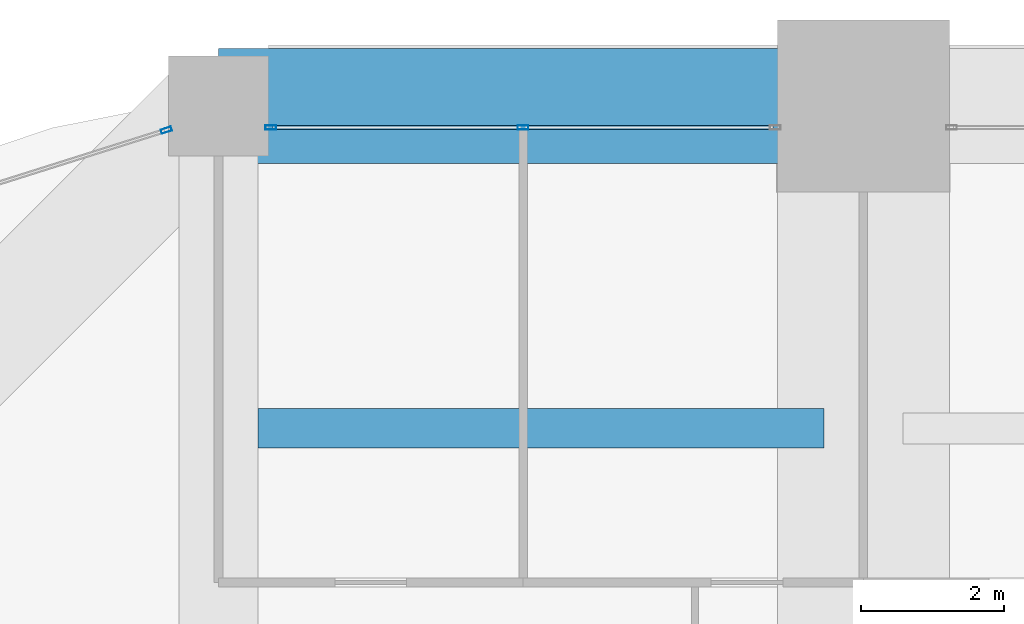
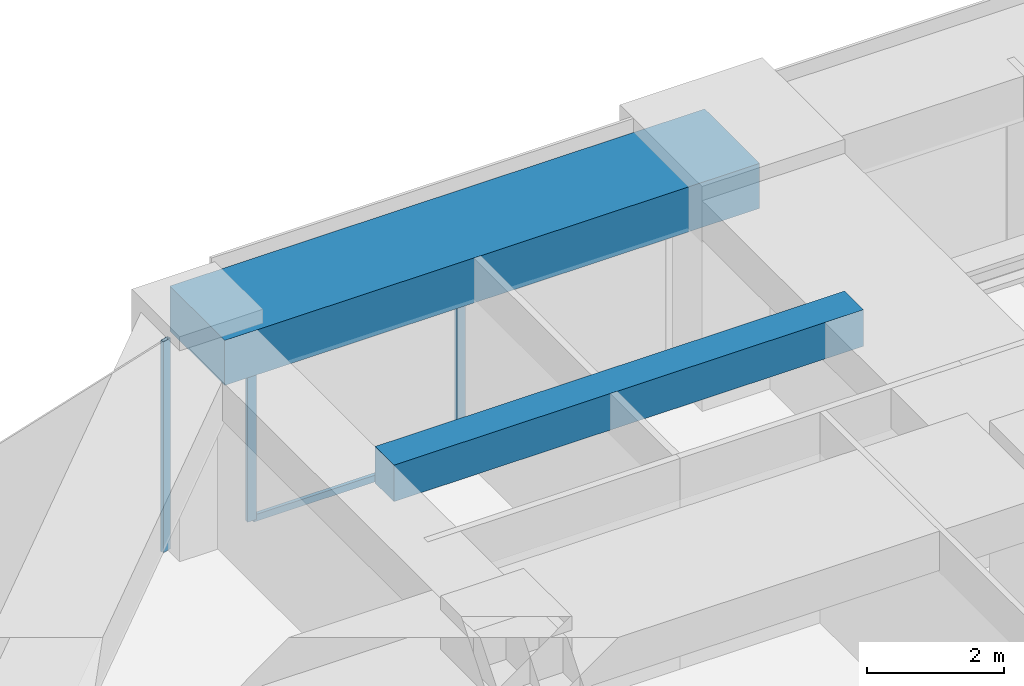
# One storey, part 22 of 35: 4 members, 2 beams, 2 elements without a shape of their own.
"""IFC4 building model written with IfcOpenShell, lengths in metres."""

import ifcopenshell
import ifcopenshell.guid

model = None  # the IFC model being written
_history = None  # IfcOwnerHistory: only IFC2X3 demands one
_inside = {}  # id of a spatial element -> (the spatial element, [elements in it])
_under = {}  # id of a project, library or spatial element -> (it, [spatial elements below it])
_declared = {}  # id of a project -> (the project, [libraries it declares])
_typed = {}  # id of a type object -> (the type object, [elements of that type])
_made_of = {}  # id of a material, layer set ... -> (it, [elements and type objects made of it])


def new_model(schema):
    """Start an empty IFC model of exactly this schema.

    Asked for "IFC4X3", IfcOpenShell would pick the latest addendum, in which some entities
    have other attributes; the version numbers below select the first issue.
    IFC2X3 requires an IfcOwnerHistory on every rooted entity: one is made here for all.
    """
    global model, _history
    if schema == "IFC4X3":
        model = ifcopenshell.file(schema_version=(4, 3, 0, 0))
    else:
        model = ifcopenshell.file(schema=schema)
    _inside.clear()
    _under.clear()
    _declared.clear()
    _typed.clear()
    _made_of.clear()
    _history = None
    if model.schema == "IFC2X3":
        org = make("IfcOrganization", Name="unknown")
        user = make(
            "IfcPersonAndOrganization",
            ThePerson=make("IfcPerson", FamilyName="unknown"),
            TheOrganization=org,
        )
        app = make(
            "IfcApplication",
            ApplicationDeveloper=org,
            Version="unknown",
            ApplicationFullName="unknown",
            ApplicationIdentifier="unknown",
        )
        _history = make(
            "IfcOwnerHistory",
            OwningUser=user,
            OwningApplication=app,
            ChangeAction="ADDED",
            CreationDate=0,
        )
    return model


def make(cls, **values):
    """One entity of the class cls with the attributes given. An attribute that is None is left unset."""
    return model.create_entity(
        cls, **{name: value for name, value in values.items() if value is not None}
    )


def rooted(cls, **values):
    """An entity with a GlobalId (a new one), such as an element, a storey or a relation."""
    return make(cls, GlobalId=ifcopenshell.guid.new(), OwnerHistory=_history, **values)


def si_unit(unit_type, name, prefix=None):
    """IfcSIUnit, for example si_unit("LENGTHUNIT", "METRE", prefix="MILLI")."""
    return make("IfcSIUnit", UnitType=unit_type, Prefix=prefix, Name=name)


def assignment(units):
    """IfcUnitAssignment: the units of a project."""
    return None if units is None else make("IfcUnitAssignment", Units=units)


def point(xyz):
    """IfcCartesianPoint."""
    return None if xyz is None else make("IfcCartesianPoint", Coordinates=xyz)


def direction(xyz):
    """IfcDirection."""
    return None if xyz is None else make("IfcDirection", DirectionRatios=xyz)


def frame(location, z_axis=None, x_axis=None):
    """IfcAxis2Placement3D, a coordinate frame: its origin and axes. An axis left out is left unset."""
    return make(
        "IfcAxis2Placement3D",
        Location=point(location),
        Axis=direction(z_axis),
        RefDirection=direction(x_axis),
    )


def frame_2d(location, x_axis=None):
    """IfcAxis2Placement2D, a coordinate frame in the plane: its origin and x axis."""
    return make(
        "IfcAxis2Placement2D", Location=point(location), RefDirection=direction(x_axis)
    )


def origin():
    """The frame at (0, 0, 0) with its axes left unset."""
    return frame((0.0, 0.0, 0.0))


def origin_2d():
    """The frame at (0, 0) in the plane with its x axis left unset."""
    return frame_2d((0.0, 0.0))


def place(relative_to, where):
    """IfcLocalPlacement: puts the frame where relative to a parent placement (None: the world)."""
    return make(
        "IfcLocalPlacement", PlacementRelTo=relative_to, RelativePlacement=where
    )


def context(
    kind, dimensions, precision=None, world=None, true_north=None, identifier=None
):
    """IfcGeometricRepresentationContext, for example the 3D "Model" context."""
    return make(
        "IfcGeometricRepresentationContext",
        ContextIdentifier=identifier,
        ContextType=kind,
        CoordinateSpaceDimension=dimensions,
        Precision=precision,
        WorldCoordinateSystem=world,
        TrueNorth=true_north,
    )


def subcontext(parent, identifier, kind, view, scale=None):
    """IfcGeometricRepresentationSubContext, for example "Body" below "Model"."""
    return make(
        "IfcGeometricRepresentationSubContext",
        ContextIdentifier=identifier,
        ContextType=kind,
        ParentContext=parent,
        TargetScale=scale,
        TargetView=view,
    )


def project(units=None, contexts=None):
    """IfcProject with its units and contexts."""
    return rooted(
        "IfcProject",
        Name="project",
        RepresentationContexts=contexts,
        UnitsInContext=assignment(units),
    )


def spatial(cls, under=None, at=None, **own):
    """A site, building, storey or space (cls), placed at a placement, below another one or the project."""
    s = rooted(cls, ObjectPlacement=at, **own)
    if under is not None:
        _under.setdefault(under.id(), (under, []))[1].append(s)
    return s


def profile(cls, at=None, kind="AREA", **sizes):
    """A parametric profile (cls). Its sizes go by their IFC names, for example OverallWidth=200.0."""
    return make(cls, ProfileType=kind, Position=at, **sizes)


def rectangle(**sizes):
    """IfcRectangleProfileDef."""
    return profile("IfcRectangleProfileDef", **sizes)


def hollow_rectangle(**sizes):
    """IfcRectangleHollowProfileDef."""
    return profile("IfcRectangleHollowProfileDef", **sizes)


def extrude(swept, where, along, depth):
    """IfcExtrudedAreaSolid: the profile swept, set in the frame where, extruded along a direction by depth."""
    return make(
        "IfcExtrudedAreaSolid",
        SweptArea=swept,
        Position=where,
        ExtrudedDirection=direction(along),
        Depth=depth,
    )


def shape(context_of_items, identifier, shape_type, items):
    """IfcShapeRepresentation: the items that make up one representation, for example the "Body"."""
    return make(
        "IfcShapeRepresentation",
        ContextOfItems=context_of_items,
        RepresentationIdentifier=identifier,
        RepresentationType=shape_type,
        Items=items,
    )


def material(Name=None, Category=None):
    """IfcMaterial."""
    return make("IfcMaterial", Name=Name, Category=Category)


def material_profile(
    of_material, cross_section, Name=None, Category=None, Priority=None
):
    """IfcMaterialProfile: a cross section and its material."""
    return make(
        "IfcMaterialProfile",
        Name=Name,
        Material=of_material,
        Profile=cross_section,
        Priority=Priority,
        Category=Category,
    )


def profile_set(profiles, Name=None, composite=None):
    """IfcMaterialProfileSet."""
    return make(
        "IfcMaterialProfileSet",
        Name=Name,
        MaterialProfiles=profiles,
        CompositeProfile=composite,
    )


def made_of(thing, what):
    """Note that an element or type object is made of a material, layer set ...; save() writes the relation."""
    if what is not None:
        _made_of.setdefault(what.id(), (what, []))[1].append(thing)
    return thing


def type_object(cls, material=None, **own):
    """A type object (cls), such as IfcWallType, which elements share."""
    return made_of(rooted(cls, **own), material)


def element(
    cls,
    number,
    at=None,
    inside=None,
    cuts=None,
    type_object=None,
    material=None,
    context=None,
    identifier="Body",
    shape_type=None,
    held_by="IfcProductDefinitionShape",
    body=None,
    shapes=None,
    **own,
):
    """One element of the class cls, such as IfcWall. Its Tag is "e" and its number.

    at: its placement. inside: the storey or other place that contains it. cuts: it is an
    opening in that element (IfcRelVoidsElement). A single representation is given by context,
    identifier, shape_type and body (its items); several are given by shapes. held_by: the class
    of the entity that holds the representations. save() writes the other relations.
    """
    e = rooted(cls, Tag="e%d" % number, ObjectPlacement=at, **own)
    if body is not None:
        shapes = [shape(context, identifier, shape_type, body)]
    if shapes is not None:
        e.Representation = make(held_by, Representations=shapes)
    if inside is not None:
        _inside.setdefault(inside.id(), (inside, []))[1].append(e)
    if cuts is not None:
        rooted(
            "IfcRelVoidsElement", RelatingBuildingElement=cuts, RelatedOpeningElement=e
        )
    if type_object is not None:
        _typed.setdefault(type_object.id(), (type_object, []))[1].append(e)
    return made_of(e, material)


def aggregate(whole, parts):
    """IfcRelAggregates: a whole, such as a stair, and the parts it consists of."""
    return rooted("IfcRelAggregates", RelatingObject=whole, RelatedObjects=parts)


def save(model, path):
    """Write the relations noted so far, then the file.

    IfcRelAggregates (storeys below a building ...), IfcRelContainedInSpatialStructure (elements
    in a storey), IfcRelDefinesByType, IfcRelAssociatesMaterial and IfcRelDeclares: one each for
    every whole, place, type object, material and project.
    """
    for whole, parts in _under.values():
        aggregate(whole, parts)
    for where, things in _inside.values():
        rooted(
            "IfcRelContainedInSpatialStructure",
            RelatedElements=things,
            RelatingStructure=where,
        )
    for kind, things in _typed.values():
        rooted("IfcRelDefinesByType", RelatedObjects=things, RelatingType=kind)
    for what, things in _made_of.values():
        rooted("IfcRelAssociatesMaterial", RelatedObjects=things, RelatingMaterial=what)
    for by, libraries in _declared.values():
        rooted("IfcRelDeclares", RelatingContext=by, RelatedDefinitions=libraries)
    model.write(path)


model = new_model("IFC4")

# Units and contexts
model_context = context("Model", 3, precision=1e-05, world=origin(), true_north=direction((0.0, 1.0)))
body_context = subcontext(model_context, "Body", "Model", "MODEL_VIEW")
ifc_project = project(units=[si_unit("LENGTHUNIT", "METRE"), si_unit("AREAUNIT", "SQUARE_METRE"), si_unit("VOLUMEUNIT", "CUBIC_METRE"), si_unit("PLANEANGLEUNIT", "RADIAN"), si_unit("MASSUNIT", "GRAM", prefix="KILO")], contexts=[model_context])

# Site, building, storey
site_placement = place(None, origin())
site = spatial("IfcSite", under=ifc_project, at=site_placement, CompositionType="ELEMENT")
building_placement = place(site_placement, origin())
building = spatial("IfcBuilding", under=site, at=building_placement, Name="Zorevar Civic Tower", CompositionType="ELEMENT")
storey_placement = place(building_placement, frame((0.0, 0.0, 218.199951171875)))
storey = spatial("IfcBuildingStorey", under=building, at=storey_placement, Name="L53", CompositionType="ELEMENT", Elevation=218.199951171875)

# Beam
ifc_material_1 = material(Name="Concrete C50/60", Category="concrete")
ifc_material_profile_1 = material_profile(ifc_material_1, rectangle(XDim=0.550048828125, YDim=0.64990234375, at=origin_2d()), Name="RC 550x650")
ifc_profile_set_1 = profile_set([ifc_material_profile_1], Name="Concrete C50/60")
beam_type_1 = type_object("IfcBeamType", Name="Beam RC 550x650", PredefinedType="BEAM", material=ifc_profile_set_1)
beam_1_placement = place(storey_placement, frame((9.550048828125, 40.5, 3.425048828125), z_axis=(1.0, 0.0, 0.0), x_axis=(0.0, 1.0, 0.0)))
element("IfcBeam", 1, at=beam_1_placement, inside=storey, type_object=beam_type_1, Name="Secondary beam L54", PredefinedType="BEAM", context=body_context, shape_type="SweptSolid", body=[
    extrude(rectangle(XDim=0.550048828125, YDim=0.64990234375, at=origin_2d()), origin(), (0.0, 0.0, 1.0), 7.89990234375),
])

# Curtain wall, members
ifc_material_2 = material(Name="Dark grey solar-control glass in black aluminium frame", Category="aluminium")
curtain_wall_type = type_object("IfcCurtainWallType", Name="Curtain wall CW4 high zone", PredefinedType="NOTDEFINED", material=ifc_material_2)
curtain_wall_1_placement = place(storey_placement, origin())
curtain_wall_1 = element("IfcCurtainWall", 2, at=curtain_wall_1_placement, inside=storey, type_object=curtain_wall_type, Name="CW4 L53", PredefinedType="NOTDEFINED")
ifc_material_3 = material(Name="Aluminium, black anodised", Category="aluminium")
ifc_material_profile_2 = material_profile(ifc_material_3, hollow_rectangle(XDim=0.06005859375, YDim=0.14990234375, WallThickness=0.00390625, at=origin_2d()), Name="AL 150x60x4")
ifc_profile_set_2 = profile_set([ifc_material_profile_2], Name="Aluminium, black anodised")
member_type_1 = type_object("IfcMemberType", Name="CW4 mullion AL 150x60x4", PredefinedType="MULLION", material=ifc_profile_set_2)
member_1_placement = place(storey_placement, frame((9.72998046875, 44.699951171875, 0.0), z_axis=(0.0, 0.0, 1.0), x_axis=(0.0, 1.0, 0.0)))
member_1 = element("IfcMember", 3, at=member_1_placement, type_object=member_type_1, Name="CW4 mullion 1", PredefinedType="MULLION", context=body_context, shape_type="SweptSolid", body=[
    extrude(hollow_rectangle(XDim=0.06005859375, YDim=0.14990234375, WallThickness=0.00390625, at=origin_2d()), origin(), (0.0, 0.0, 1.0), 2.949951171875),
])
member_2_placement = place(storey_placement, frame((13.25, 44.699951171875, 0.06005859375), z_axis=(0.0, 0.0, 1.0), x_axis=(0.0, 1.0, 0.0)))
member_2 = element("IfcMember", 4, at=member_2_placement, type_object=member_type_1, Name="CW4 mullion 2", PredefinedType="MULLION", context=body_context, shape_type="SweptSolid", body=[
    extrude(hollow_rectangle(XDim=0.06005859375, YDim=0.14990234375, WallThickness=0.00390625, at=origin_2d()), origin(), (0.0, 0.0, 1.0), 2.889892578125),
])

# Curtain wall, member
curtain_wall_2_placement = place(storey_placement, origin())
curtain_wall_2 = element("IfcCurtainWall", 5, at=curtain_wall_2_placement, inside=storey, type_object=curtain_wall_type, Name="CW4 L53", PredefinedType="NOTDEFINED")
member_3_placement = place(storey_placement, frame((8.271484375, 44.66259765625, 0.0), z_axis=(0.0, 0.0, 1.0), x_axis=(0.301108296077, -0.953589950678, 0.0)))
member_3 = element("IfcMember", 6, at=member_3_placement, type_object=member_type_1, Name="CW4 mullion 1", PredefinedType="MULLION", context=body_context, shape_type="SweptSolid", body=[
    extrude(hollow_rectangle(XDim=0.06005859375, YDim=0.14990234375, WallThickness=0.00390625, at=origin_2d()), origin(), (0.0, 0.0, 1.0), 3.75),
])
aggregate(curtain_wall_2, [member_3])

# Member
ifc_material_4 = material(Name="Aluminium, black anodised", Category="aluminium")
ifc_material_profile_3 = material_profile(ifc_material_4, hollow_rectangle(XDim=0.06005859375, YDim=0.1201171875, WallThickness=0.0029296875, at=origin_2d()), Name="AL 120x60x3")
ifc_profile_set_3 = profile_set([ifc_material_profile_3], Name="Aluminium, black anodised")
member_type_2 = type_object("IfcMemberType", Name="CW4 transom AL 120x60x3", PredefinedType="USERDEFINED", material=ifc_profile_set_3)
member_4_placement = place(storey_placement, frame((9.760009765625, 44.699951171875, 0.030029296875), z_axis=(1.0, 0.0, 0.0), x_axis=(0.0, 1.0, 0.0)))
member_4 = element("IfcMember", 7, at=member_4_placement, type_object=member_type_2, Name="CW4 sill transom", ObjectType="TRANSOM", PredefinedType="USERDEFINED", context=body_context, shape_type="SweptSolid", body=[
    extrude(hollow_rectangle(XDim=0.06005859375, YDim=0.1201171875, WallThickness=0.0029296875, at=origin_2d()), origin(), (0.0, 0.0, 1.0), 6.97998046875),
])

aggregate(curtain_wall_1, [member_1, member_2, member_4])

# Beam
ifc_material_5 = material(Name="Concrete C50/60", Category="concrete")
ifc_material_profile_4 = material_profile(ifc_material_5, rectangle(XDim=1.60009765625, YDim=0.800048828125, at=origin_2d()), Name="RC 1600x800")
ifc_profile_set_4 = profile_set([ifc_material_profile_4], Name="Concrete C50/60")
beam_type_2 = type_object("IfcBeamType", Name="Edge beam RC 1600x800", PredefinedType="SPANDREL", material=ifc_profile_set_4)
beam_2_placement = place(storey_placement, frame((9.0, 45.0, 3.35009765625), z_axis=(1.0, 0.0, 0.0), x_axis=(0.0, 1.0, 0.0)))
element("IfcBeam", 8, at=beam_2_placement, inside=storey, type_object=beam_type_2, Name="Edge beam L54", PredefinedType="SPANDREL", context=body_context, shape_type="SweptSolid", body=[
    extrude(rectangle(XDim=1.60009765625, YDim=0.800048828125, at=origin_2d()), origin(), (0.0, 0.0, 1.0), 9.0),
])

save(model, "model.ifc")
